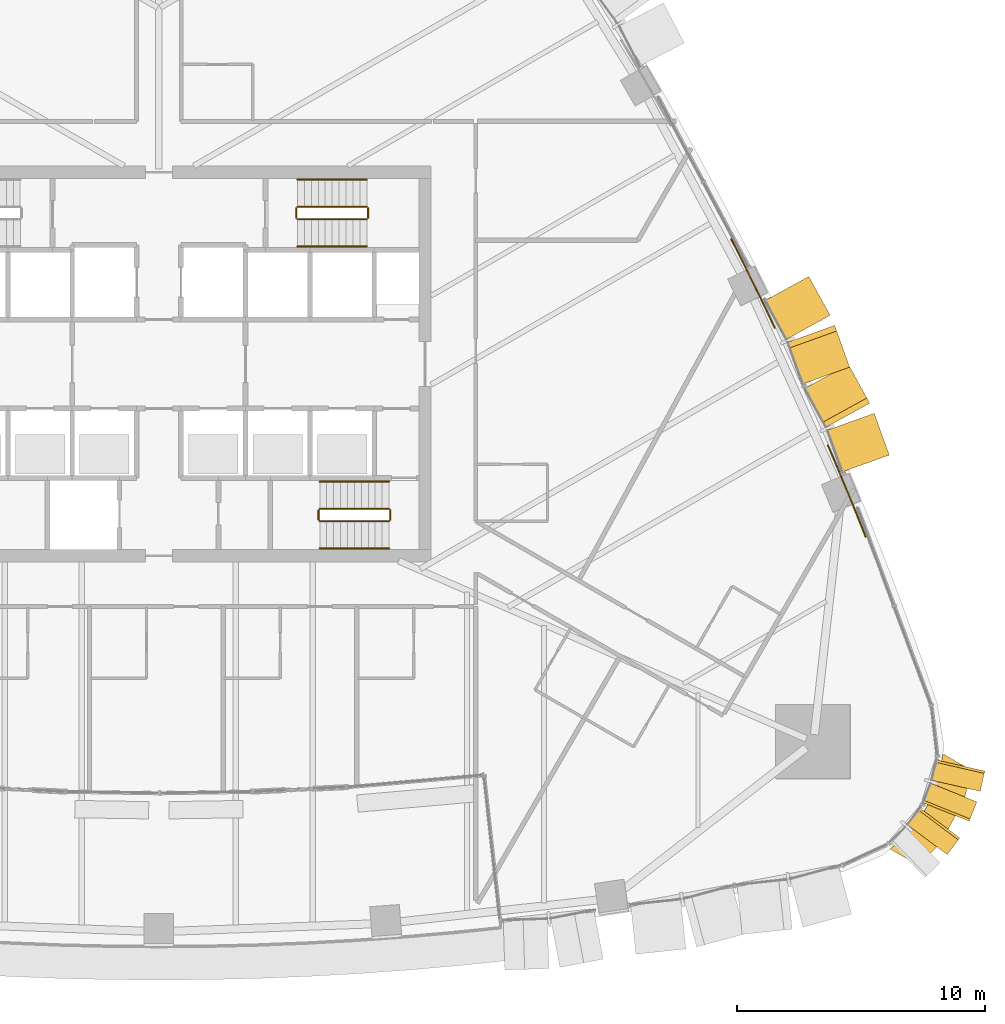
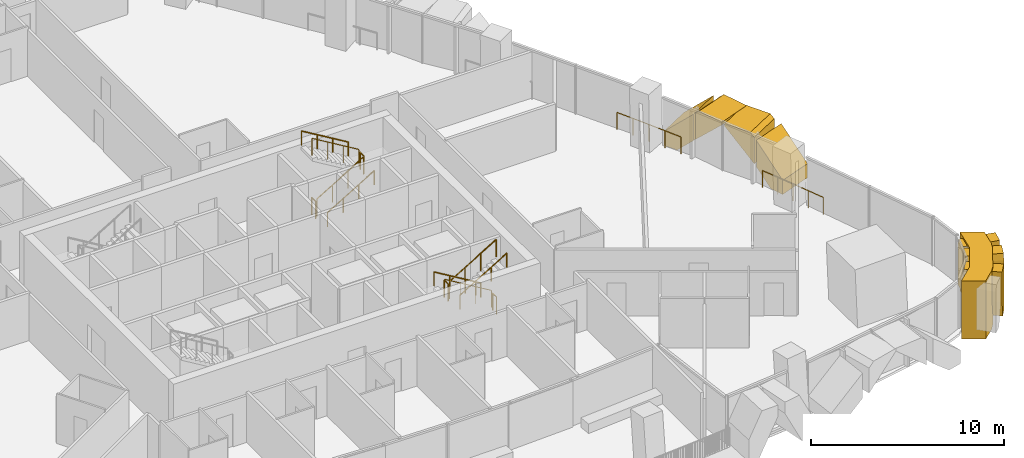
# One storey, part 20 of 22: 14 railings, 8 coverings.
"""IFC4 building model written with IfcOpenShell, lengths in metres."""

from ifc_helpers import new_model, si_unit, direction, frame, origin, origin_2d, place, context, subcontext, project, spatial, polyline, circle, outline, extrude, material, layer, layer_set, type_object, element, save


model = new_model("IFC4")

# Units and contexts
model_context = context("Model", 3, precision=1e-05, world=origin(), true_north=direction((0.0, 1.0)))
body_context = subcontext(model_context, "Body", "Model", "MODEL_VIEW")
ifc_project = project(units=[si_unit("LENGTHUNIT", "METRE"), si_unit("AREAUNIT", "SQUARE_METRE"), si_unit("VOLUMEUNIT", "CUBIC_METRE"), si_unit("PLANEANGLEUNIT", "RADIAN"), si_unit("MASSUNIT", "GRAM", prefix="KILO")], contexts=[model_context])

# Site, building, storey
site_placement = place(None, origin())
site = spatial("IfcSite", under=ifc_project, at=site_placement, CompositionType="ELEMENT")
building_placement = place(site_placement, origin())
building = spatial("IfcBuilding", under=site, at=building_placement, Name="Sierra Prisma Convention Tower", CompositionType="ELEMENT")
storey_placement = place(building_placement, frame((0.0, 0.0, 73.89990234375)))
storey = spatial("IfcBuildingStorey", under=building, at=storey_placement, Name="L14", CompositionType="ELEMENT", Elevation=73.89990234375)

# Coverings
ifc_material_1 = material(Name="Aluminium composite bronze anodised", Category="aluminium")
ifc_layer_1 = layer(ifc_material_1, 1.199951171875)
ifc_layer_set_1 = layer_set([ifc_layer_1], Name="Bronze corner pier")
covering_type_1 = type_object("IfcCoveringType", Name="Bronze corner pier", PredefinedType="CLADDING", material=ifc_layer_set_1)
covering_1_placement = place(storey_placement, frame((0.0, 0.0, -0.599853515625)))
element("IfcCovering", 1, at=covering_1_placement, inside=storey, type_object=covering_type_1, Name="Corner pier SE L14.1", PredefinedType="CLADDING", context=body_context, shape_type="SweptSolid", body=[
    extrude(outline(polyline([(32.460693359375, -17.762451171875), (31.60693359375, -19.27978515625), (31.355712890625, -19.5908203125), (30.63525390625, -20.2275390625), (29.5390625, -19.5947265625), (30.561279296875, -18.69140625), (31.414794921875, -17.174072265625), (31.671875, -15.745361328125), (32.7763671875, -16.383056640625), (32.595947265625, -17.386474609375), (32.460693359375, -17.762451171875)])), origin(), (0.0, 0.0, 1.0), 3.699951171875),
])
ifc_material_2 = material(Name="Aluminium 6063-T6 bronze anodised", Category="aluminium")
ifc_layer_2 = layer(ifc_material_2, 2.0)
ifc_layer_set_2 = layer_set([ifc_layer_2], Name="Bronze crystal chevron frame")
covering_type_2 = type_object("IfcCoveringType", Name="Bronze crystal chevron frame", PredefinedType="CLADDING", material=ifc_layer_set_2)
covering_2_placement = place(storey_placement, frame((31.84765625, -19.8193359375, 2.97998046875), z_axis=(0.800446836983, -0.599403754631, -9.9698e-06), x_axis=(-7.980295e-06, 5.975936e-06, -0.99999999995)))
element("IfcCovering", 2, at=covering_2_placement, inside=storey, type_object=covering_type_2, Name="CW-2 chevron frame SE2.1.2", PredefinedType="CLADDING", context=body_context, shape_type="SweptSolid", body=[
    extrude(outline(polyline([(0.0, 0.0), (1.902832031155432, -1.6117614235595744e-21), (2.9799804689448575, 0.2814942443950013), (2.979980468679287, 0.8415041456232739), (0.37597656255870177, 0.8415041456232739), (-1.6679810943248704e-10, 0.7433107407418436), (0.0, 0.0)])), origin(), (0.0, 0.0, -1.0), 2.0),
])
covering_3_placement = place(storey_placement, frame((32.73291015625, -18.468994140625, 0.0), z_axis=(0.927937777038, -0.372735136448, 1.529627e-06), x_axis=(0.372735136448, 0.927937777039, 1.11e-10)))
element("IfcCovering", 3, at=covering_3_placement, inside=storey, type_object=covering_type_2, Name="CW-2 chevron frame SE3.1.1", PredefinedType="CLADDING", context=body_context, shape_type="SweptSolid", body=[
    extrude(outline(polyline([(0.0, 0.0), (0.5601240402783763, 0.0), (0.8416595702085888, 1.0771484373978208), (0.8416595704195731, 2.9799804686455946), (0.09837866221518052, 2.979980468814878), (2.887295441220107e-10, 2.6040039062469535), (0.0, 0.0)])), origin(), (0.0, 0.0, -1.0), 2.0),
])
covering_4_placement = place(storey_placement, frame((33.178955078125, -17.264892578125, 2.97998046875), z_axis=(0.974796413167, -0.223096285825, 1.1282076e-05), x_axis=(1.0997727e-05, -2.516989e-06, -0.999999999936)))
element("IfcCovering", 4, at=covering_4_placement, inside=storey, type_object=covering_type_2, Name="CW-2 chevron frame SE3.1.2", PredefinedType="CLADDING", context=body_context, shape_type="SweptSolid", body=[
    extrude(outline(polyline([(0.0, 0.0), (1.9028320311288986, 8.058807117797872e-22), (2.979980468520543, 0.2812578411907238), (2.979980468601446, 0.8415227031886894), (0.37597656251717143, 0.8415227031886894), (-7.244431140604965e-10, 0.7433296222044554), (0.0, 0.0)])), origin(), (0.0, 0.0, -1.0), 2.0),
])
covering_5_placement = place(storey_placement, frame((29.506591796875, -3.679443359375, 0.0), z_axis=(0.941093892604, 0.338145360609, 2.0054092e-05), x_axis=(-0.338145360677, 0.941093892793, -1.279e-09)))
element("IfcCovering", 5, at=covering_5_placement, inside=storey, type_object=covering_type_2, Name="CW-2 chevron frame NE2.1.1", PredefinedType="CLADDING", context=body_context, shape_type="SweptSolid", body=[
    extrude(outline(polyline([(0.0, 0.0), (0.8044497298207591, 8.470329472543003e-22), (1.79339237104576, 0.9538574243607538), (1.7933923689134907, 2.6208496115255495), (-1.1404579188972264e-09, 0.8916015623207139), (0.0, 0.0)])), origin(), (0.0, 0.0, -1.0), 2.0),
])
covering_6_placement = place(storey_placement, frame((28.7177734375, -1.58740234375, 2.746337890625), z_axis=(0.876617277553, 0.481188267291, -1.0830934e-05), x_axis=(-9.494584e-06, -5.211719e-06, -0.999999999941)))
element("IfcCovering", 6, at=covering_6_placement, inside=storey, type_object=covering_type_2, Name="CW-2 chevron frame NE2.1.2", PredefinedType="CLADDING", context=body_context, shape_type="SweptSolid", body=[
    extrude(outline(polyline([(0.0, 0.0), (1.6669921874022233, 0.0), (-0.06225585939875682, 1.7935585431506251), (-0.2336425781387042, 1.7935585431506251), (-0.23364257835436286, 0.2425638770927512), (0.0, 0.0)])), origin(), (0.0, 0.0, -1.0), 2.0),
])
covering_7_placement = place(storey_placement, frame((27.90576171875, -0.12841796875, 2.97998046875), z_axis=(0.941092231151, 0.338149982279, -4.4174174e-05), x_axis=(-4.1571972e-05, -1.4937496e-05, -0.999999999024)))
element("IfcCovering", 7, at=covering_7_placement, inside=storey, type_object=covering_type_2, Name="CW-2 chevron frame NE2.2.1", PredefinedType="CLADDING", context=body_context, shape_type="SweptSolid", body=[
    extrude(outline(polyline([(0.0, 0.0), (0.17138671858278162, 0.0), (1.9006347642265111, 1.7933923723381675), (0.23364257835296015, 1.7933923723381675), (-3.5873348099306392e-09, 1.5510587446747088), (0.0, 0.0)])), origin(), (0.0, 0.0, -1.0), 2.0),
])
covering_8_placement = place(storey_placement, frame((26.254150390625, 3.53564453125, 0.0), z_axis=(0.876595733807, 0.481227511839, -3.6337415e-05), x_axis=(3.1853223e-05, 1.7486564e-05, 0.99999999934)))
element("IfcCovering", 8, at=covering_8_placement, inside=storey, type_object=covering_type_2, Name="CW-2 chevron frame NE2.2.2", PredefinedType="CLADDING", context=body_context, shape_type="SweptSolid", body=[
    extrude(outline(polyline([(0.0, 0.0), (0.8916015619113613, 0.0), (2.6208496089041855, 1.7933445286094831), (0.9538574225047405, 1.7933445286094831), (-3.378386903259831e-09, 0.8042856659362094), (0.0, 0.0)])), origin(), (0.0, 0.0, -1.0), 2.0),
])

# Railings
ifc_material_3 = material(Name="Stainless steel", Category="steel")
railing_type_1 = type_object("IfcRailingType", Name="Exit stair handrail", PredefinedType="HANDRAIL", material=ifc_material_3)
railing_1_placement = place(storey_placement, frame((9.300048828125, -4.75, 0.168212890625)))
element("IfcRailing", 9, at=railing_1_placement, inside=storey, type_object=railing_type_1, Name="L14 S2 stair handrail 1", PredefinedType="HANDRAIL", context=body_context, shape_type="SweptSolid", body=[
    extrude(circle(Radius=0.02392578125, at=origin_2d()), frame((0.0, 0.0, 0.8759765625), z_axis=(-0.857242210791, 0.0, 0.514913383045), x_axis=(0.0, -1.0, 0.0)), (0.0, 0.0, 1.0), 3.266357421875),
    extrude(circle(Radius=0.02099609375, at=origin_2d()), origin(), (0.0, 0.0, 1.0), 0.851806640625),
    extrude(circle(Radius=0.02099609375, at=origin_2d()), frame((-0.933349609375, 0.0, 0.560546875)), (0.0, 0.0, 1.0), 0.851806640625),
    extrude(circle(Radius=0.02099609375, at=origin_2d()), frame((-1.86669921875, 0.0, 1.121337890625)), (0.0, 0.0, 1.0), 0.851806640625),
    extrude(circle(Radius=0.02099609375, at=origin_2d()), frame((-2.800048828125, 0.0, 1.681884765625)), (0.0, 0.0, 1.0), 0.851806640625),
])
railing_2_placement = place(storey_placement, frame((6.5, -7.449951171875, 2.018310546875)))
element("IfcRailing", 10, at=railing_2_placement, inside=storey, type_object=railing_type_1, Name="L14 S2 stair handrail 2", PredefinedType="HANDRAIL", context=body_context, shape_type="SweptSolid", body=[
    extrude(circle(Radius=0.02392578125, at=origin_2d()), frame((0.0, 0.0, 0.8759765625), z_axis=(0.857242210791, 0.0, 0.514913383045), x_axis=(0.0, 1.0, 0.0)), (0.0, 0.0, 1.0), 3.266357421875),
    extrude(circle(Radius=0.02099609375, at=origin_2d()), origin(), (0.0, 0.0, 1.0), 0.851806640625),
    extrude(circle(Radius=0.02099609375, at=origin_2d()), frame((0.933349609375, 0.0, 0.560546875)), (0.0, 0.0, 1.0), 0.851806640625),
    extrude(circle(Radius=0.02099609375, at=origin_2d()), frame((1.86669921875, 0.0, 1.121337890625)), (0.0, 0.0, 1.0), 0.851806640625),
    extrude(circle(Radius=0.02099609375, at=origin_2d()), frame((2.800048828125, 0.0, 1.681884765625)), (0.0, 0.0, 1.0), 0.851806640625),
])
railing_3_placement = place(storey_placement, frame((5.60009765625, 4.75, 0.168212890625)))
element("IfcRailing", 11, at=railing_3_placement, inside=storey, type_object=railing_type_1, Name="L14 S4 stair handrail 1", PredefinedType="HANDRAIL", context=body_context, shape_type="SweptSolid", body=[
    extrude(circle(Radius=0.02392578125, at=origin_2d()), frame((0.0, 0.0, 0.8759765625), z_axis=(0.857222391501, 0.0, 0.514946377315), x_axis=(0.0, 1.0, 0.0)), (0.0, 0.0, 1.0), 3.26611328125),
    extrude(circle(Radius=0.02099609375, at=origin_2d()), origin(), (0.0, 0.0, 1.0), 0.851806640625),
    extrude(circle(Radius=0.02099609375, at=origin_2d()), frame((0.933349609375, 0.0, 0.560546875)), (0.0, 0.0, 1.0), 0.851806640625),
    extrude(circle(Radius=0.02099609375, at=origin_2d()), frame((1.866455078125, 0.0, 1.121337890625)), (0.0, 0.0, 1.0), 0.851806640625),
    extrude(circle(Radius=0.02099609375, at=origin_2d()), frame((2.7998046875, 0.0, 1.681884765625)), (0.0, 0.0, 1.0), 0.851806640625),
])
railing_4_placement = place(storey_placement, frame((8.39990234375, 7.449951171875, 2.018310546875)))
element("IfcRailing", 12, at=railing_4_placement, inside=storey, type_object=railing_type_1, Name="L14 S4 stair handrail 2", PredefinedType="HANDRAIL", context=body_context, shape_type="SweptSolid", body=[
    extrude(circle(Radius=0.02392578125, at=origin_2d()), frame((0.0, 0.0, 0.8759765625), z_axis=(-0.857222391501, 0.0, 0.514946377315), x_axis=(0.0, -1.0, 0.0)), (0.0, 0.0, 1.0), 3.26611328125),
    extrude(circle(Radius=0.02099609375, at=origin_2d()), origin(), (0.0, 0.0, 1.0), 0.851806640625),
    extrude(circle(Radius=0.02099609375, at=origin_2d()), frame((-0.933349609375, 0.0, 0.560546875)), (0.0, 0.0, 1.0), 0.851806640625),
    extrude(circle(Radius=0.02099609375, at=origin_2d()), frame((-1.866455078125, 0.0, 1.121337890625)), (0.0, 0.0, 1.0), 0.851806640625),
    extrude(circle(Radius=0.02099609375, at=origin_2d()), frame((-2.7998046875, 0.0, 1.681884765625)), (0.0, 0.0, 1.0), 0.851806640625),
])
ifc_material_4 = material(Name="Bronze anodised aluminium", Category="aluminium")
railing_type_2 = type_object("IfcRailingType", Name="Facade guard 1100", PredefinedType="GUARDRAIL", material=ifc_material_4)
railing_5_placement = place(storey_placement, frame((28.548095703125, -6.97021484375, 0.0)))
element("IfcRailing", 13, at=railing_5_placement, inside=storey, type_object=railing_type_2, Name="Facade guard", PredefinedType="GUARDRAIL", context=body_context, shape_type="SweptSolid", body=[
    extrude(circle(Radius=0.02392578125, at=origin_2d()), frame((0.0, 0.0, 1.076171875), z_axis=(-0.370797866018, 0.928713595549, 0.0), x_axis=(-0.928713595549, -0.370797866018, 0.0)), (0.0, 0.0, 1.0), 0.994140625),
    extrude(circle(Radius=0.02392578125, at=origin_2d()), frame((-0.36865234375, 0.92333984375, 1.076171875), z_axis=(-0.37836668804, 0.925655794225, 0.0), x_axis=(-0.925655794225, -0.37836668804, 0.0)), (0.0, 0.0, 1.0), 1.000244140625),
    extrude(circle(Radius=0.02392578125, at=origin_2d()), frame((-0.7470703125, 1.84912109375, 1.076171875), z_axis=(-0.384266664433, 0.923222145859, 0.0), x_axis=(-0.923222145859, -0.384266664433, 0.0)), (0.0, 0.0, 1.0), 0.994384765625),
    extrude(circle(Radius=0.02392578125, at=origin_2d()), frame((-1.129150390625, 2.76708984375, 1.076171875), z_axis=(-0.391383620412, 0.920227614057, 0.0), x_axis=(-0.920227614057, -0.391383620412, 0.0)), (0.0, 0.0, 1.0), 1.0),
    extrude(circle(Radius=0.02099609375, at=origin_2d()), origin(), (0.0, 0.0, 1.0), 1.052001953125),
    extrude(circle(Radius=0.02099609375, at=origin_2d()), frame((-0.36865234375, 0.92333984375, 0.0)), (0.0, 0.0, 1.0), 1.052001953125),
    extrude(circle(Radius=0.02099609375, at=origin_2d()), frame((-0.7470703125, 1.84912109375, 0.0)), (0.0, 0.0, 1.0), 1.052001953125),
    extrude(circle(Radius=0.02099609375, at=origin_2d()), frame((-1.129150390625, 2.76708984375, 0.0)), (0.0, 0.0, 1.0), 1.052001953125),
    extrude(circle(Radius=0.02099609375, at=origin_2d()), frame((-1.5205078125, 3.687255859375, 0.0)), (0.0, 0.0, 1.0), 1.052001953125),
])
railing_6_placement = place(storey_placement, frame((24.883544921875, 1.461669921875, 0.0)))
element("IfcRailing", 14, at=railing_6_placement, inside=storey, type_object=railing_type_2, Name="Facade guard", PredefinedType="GUARDRAIL", context=body_context, shape_type="SweptSolid", body=[
    extrude(circle(Radius=0.02392578125, at=origin_2d()), frame((0.0, 0.0, 1.076171875), z_axis=(-0.430435803215, 0.902621193697, 0.0), x_axis=(-0.902621193697, -0.430435803215, 0.0)), (0.0, 0.0, 1.0), 1.0),
    extrude(circle(Radius=0.02392578125, at=origin_2d()), frame((-0.430419921875, 0.902587890625, 1.076171875), z_axis=(-0.440029108407, 0.897983509734, 0.0), x_axis=(-0.897983509734, -0.440029108407, 0.0)), (0.0, 0.0, 1.0), 0.994140625),
    extrude(circle(Radius=0.02392578125, at=origin_2d()), frame((-0.867919921875, 1.79541015625, 1.076171875), z_axis=(-0.443107403506, 0.896468532051, 0.0), x_axis=(-0.896468532051, -0.443107403506, 0.0)), (0.0, 0.0, 1.0), 1.0),
    extrude(circle(Radius=0.02392578125, at=origin_2d()), frame((-1.31103515625, 2.69189453125, 1.076171875), z_axis=(-0.452998665178, 0.891511194179, 0.0), x_axis=(-0.891511194179, -0.452998665178, 0.0)), (0.0, 0.0, 1.0), 0.994384765625),
    extrude(circle(Radius=0.02099609375, at=origin_2d()), origin(), (0.0, 0.0, 1.0), 1.052001953125),
    extrude(circle(Radius=0.02099609375, at=origin_2d()), frame((-0.430419921875, 0.902587890625, 0.0)), (0.0, 0.0, 1.0), 1.052001953125),
    extrude(circle(Radius=0.02099609375, at=origin_2d()), frame((-0.867919921875, 1.79541015625, 0.0)), (0.0, 0.0, 1.0), 1.052001953125),
    extrude(circle(Radius=0.02099609375, at=origin_2d()), frame((-1.31103515625, 2.69189453125, 0.0)), (0.0, 0.0, 1.0), 1.052001953125),
    extrude(circle(Radius=0.02099609375, at=origin_2d()), frame((-1.761474609375, 3.578369140625, 0.0)), (0.0, 0.0, 1.0), 1.052001953125),
])
ifc_material_5 = material(Name="Stainless steel", Category="steel")
railing_type_3 = type_object("IfcRailingType", Name="Stair guard 1100", PredefinedType="GUARDRAIL", material=ifc_material_5)
railing_7_placement = place(storey_placement, frame((9.300048828125, -5.85009765625, 0.168212890625)))
element("IfcRailing", 15, at=railing_7_placement, inside=storey, type_object=railing_type_3, Name="L14 S2 stair guard 1", PredefinedType="GUARDRAIL", context=body_context, shape_type="SweptSolid", body=[
    extrude(circle(Radius=0.02392578125, at=origin_2d()), frame((0.0, 0.0, 1.076171875), z_axis=(-0.857242210791, 0.0, 0.514913383045), x_axis=(0.0, -1.0, 0.0)), (0.0, 0.0, 1.0), 3.266357421875),
    extrude(circle(Radius=0.02099609375, at=origin_2d()), origin(), (0.0, 0.0, 1.0), 1.052001953125),
    extrude(circle(Radius=0.02099609375, at=origin_2d()), frame((-0.933349609375, 0.0, 0.560546875)), (0.0, 0.0, 1.0), 1.052001953125),
    extrude(circle(Radius=0.02099609375, at=origin_2d()), frame((-1.86669921875, 0.0, 1.121337890625)), (0.0, 0.0, 1.0), 1.052001953125),
    extrude(circle(Radius=0.02099609375, at=origin_2d()), frame((-2.800048828125, 0.0, 1.681884765625)), (0.0, 0.0, 1.0), 1.052001953125),
])
railing_8_placement = place(storey_placement, frame((6.449951171875, -5.89990234375, 1.85009765625)))
element("IfcRailing", 16, at=railing_8_placement, inside=storey, type_object=railing_type_3, Name="L14 S2 stair guard 2", PredefinedType="GUARDRAIL", context=body_context, shape_type="SweptSolid", body=[
    extrude(circle(Radius=0.02392578125, at=origin_2d()), frame((0.0, 0.0, 1.076171875), z_axis=(0.0, -1.0, 0.0), x_axis=(1.0, 0.0, 0.0)), (0.0, 0.0, 1.0), 0.400146484375),
    extrude(circle(Radius=0.02099609375, at=origin_2d()), origin(), (0.0, 0.0, 1.0), 1.052001953125),
    extrude(circle(Radius=0.02099609375, at=origin_2d()), frame((0.0, -0.400146484375, 0.0)), (0.0, 0.0, 1.0), 1.052001953125),
])
railing_9_placement = place(storey_placement, frame((6.5, -6.35009765625, 2.018310546875)))
element("IfcRailing", 17, at=railing_9_placement, inside=storey, type_object=railing_type_3, Name="L14 S2 stair guard 3", PredefinedType="GUARDRAIL", context=body_context, shape_type="SweptSolid", body=[
    extrude(circle(Radius=0.02392578125, at=origin_2d()), frame((0.0, 0.0, 1.076171875), z_axis=(0.857242210791, 0.0, 0.514913383045), x_axis=(0.0, 1.0, 0.0)), (0.0, 0.0, 1.0), 3.266357421875),
    extrude(circle(Radius=0.02099609375, at=origin_2d()), origin(), (0.0, 0.0, 1.0), 1.052001953125),
    extrude(circle(Radius=0.02099609375, at=origin_2d()), frame((0.933349609375, 0.0, 0.560546875)), (0.0, 0.0, 1.0), 1.052001953125),
    extrude(circle(Radius=0.02099609375, at=origin_2d()), frame((1.86669921875, 0.0, 1.121337890625)), (0.0, 0.0, 1.0), 1.052001953125),
    extrude(circle(Radius=0.02099609375, at=origin_2d()), frame((2.800048828125, 0.0, 1.681884765625)), (0.0, 0.0, 1.0), 1.052001953125),
])
railing_10_placement = place(storey_placement, frame((9.35009765625, -5.89990234375, 0.0)))
element("IfcRailing", 18, at=railing_10_placement, inside=storey, type_object=railing_type_3, Name="L14 S2 stair guard 4", PredefinedType="GUARDRAIL", context=body_context, shape_type="SweptSolid", body=[
    extrude(circle(Radius=0.02392578125, at=origin_2d()), frame((0.0, 0.0, 1.076171875), z_axis=(0.0, -1.0, 0.0), x_axis=(1.0, 0.0, 0.0)), (0.0, 0.0, 1.0), 0.400146484375),
    extrude(circle(Radius=0.02099609375, at=origin_2d()), origin(), (0.0, 0.0, 1.0), 1.052001953125),
    extrude(circle(Radius=0.02099609375, at=origin_2d()), frame((0.0, -0.400146484375, 0.0)), (0.0, 0.0, 1.0), 1.052001953125),
])
railing_11_placement = place(storey_placement, frame((5.60009765625, 5.85009765625, 0.168212890625)))
element("IfcRailing", 19, at=railing_11_placement, inside=storey, type_object=railing_type_3, Name="L14 S4 stair guard 1", PredefinedType="GUARDRAIL", context=body_context, shape_type="SweptSolid", body=[
    extrude(circle(Radius=0.02392578125, at=origin_2d()), frame((0.0, 0.0, 1.076171875), z_axis=(0.857222391501, 0.0, 0.514946377315), x_axis=(0.0, 1.0, 0.0)), (0.0, 0.0, 1.0), 3.26611328125),
    extrude(circle(Radius=0.02099609375, at=origin_2d()), origin(), (0.0, 0.0, 1.0), 1.052001953125),
    extrude(circle(Radius=0.02099609375, at=origin_2d()), frame((0.933349609375, 0.0, 0.560546875)), (0.0, 0.0, 1.0), 1.052001953125),
    extrude(circle(Radius=0.02099609375, at=origin_2d()), frame((1.866455078125, 0.0, 1.121337890625)), (0.0, 0.0, 1.0), 1.052001953125),
    extrude(circle(Radius=0.02099609375, at=origin_2d()), frame((2.7998046875, 0.0, 1.681884765625)), (0.0, 0.0, 1.0), 1.052001953125),
])
railing_12_placement = place(storey_placement, frame((8.449951171875, 5.89990234375, 1.85009765625)))
element("IfcRailing", 20, at=railing_12_placement, inside=storey, type_object=railing_type_3, Name="L14 S4 stair guard 2", PredefinedType="GUARDRAIL", context=body_context, shape_type="SweptSolid", body=[
    extrude(circle(Radius=0.02392578125, at=origin_2d()), frame((0.0, 0.0, 1.076171875), z_axis=(0.0, 1.0, 0.0), x_axis=(-1.0, 0.0, 0.0)), (0.0, 0.0, 1.0), 0.400146484375),
    extrude(circle(Radius=0.02099609375, at=origin_2d()), origin(), (0.0, 0.0, 1.0), 1.052001953125),
    extrude(circle(Radius=0.02099609375, at=origin_2d()), frame((0.0, 0.400146484375, 0.0)), (0.0, 0.0, 1.0), 1.052001953125),
])
railing_13_placement = place(storey_placement, frame((8.39990234375, 6.35009765625, 2.018310546875)))
element("IfcRailing", 21, at=railing_13_placement, inside=storey, type_object=railing_type_3, Name="L14 S4 stair guard 3", PredefinedType="GUARDRAIL", context=body_context, shape_type="SweptSolid", body=[
    extrude(circle(Radius=0.02392578125, at=origin_2d()), frame((0.0, 0.0, 1.076171875), z_axis=(-0.857222391501, 0.0, 0.514946377315), x_axis=(0.0, -1.0, 0.0)), (0.0, 0.0, 1.0), 3.26611328125),
    extrude(circle(Radius=0.02099609375, at=origin_2d()), origin(), (0.0, 0.0, 1.0), 1.052001953125),
    extrude(circle(Radius=0.02099609375, at=origin_2d()), frame((-0.933349609375, 0.0, 0.560546875)), (0.0, 0.0, 1.0), 1.052001953125),
    extrude(circle(Radius=0.02099609375, at=origin_2d()), frame((-1.866455078125, 0.0, 1.121337890625)), (0.0, 0.0, 1.0), 1.052001953125),
    extrude(circle(Radius=0.02099609375, at=origin_2d()), frame((-2.7998046875, 0.0, 1.681884765625)), (0.0, 0.0, 1.0), 1.052001953125),
])
railing_14_placement = place(storey_placement, frame((5.550048828125, 5.89990234375, 0.0)))
element("IfcRailing", 22, at=railing_14_placement, inside=storey, type_object=railing_type_3, Name="L14 S4 stair guard 4", PredefinedType="GUARDRAIL", context=body_context, shape_type="SweptSolid", body=[
    extrude(circle(Radius=0.02392578125, at=origin_2d()), frame((0.0, 0.0, 1.076171875), z_axis=(0.0, 1.0, 0.0), x_axis=(-1.0, 0.0, 0.0)), (0.0, 0.0, 1.0), 0.400146484375),
    extrude(circle(Radius=0.02099609375, at=origin_2d()), origin(), (0.0, 0.0, 1.0), 1.052001953125),
    extrude(circle(Radius=0.02099609375, at=origin_2d()), frame((0.0, 0.400146484375, 0.0)), (0.0, 0.0, 1.0), 1.052001953125),
])

save(model, "model.ifc")
